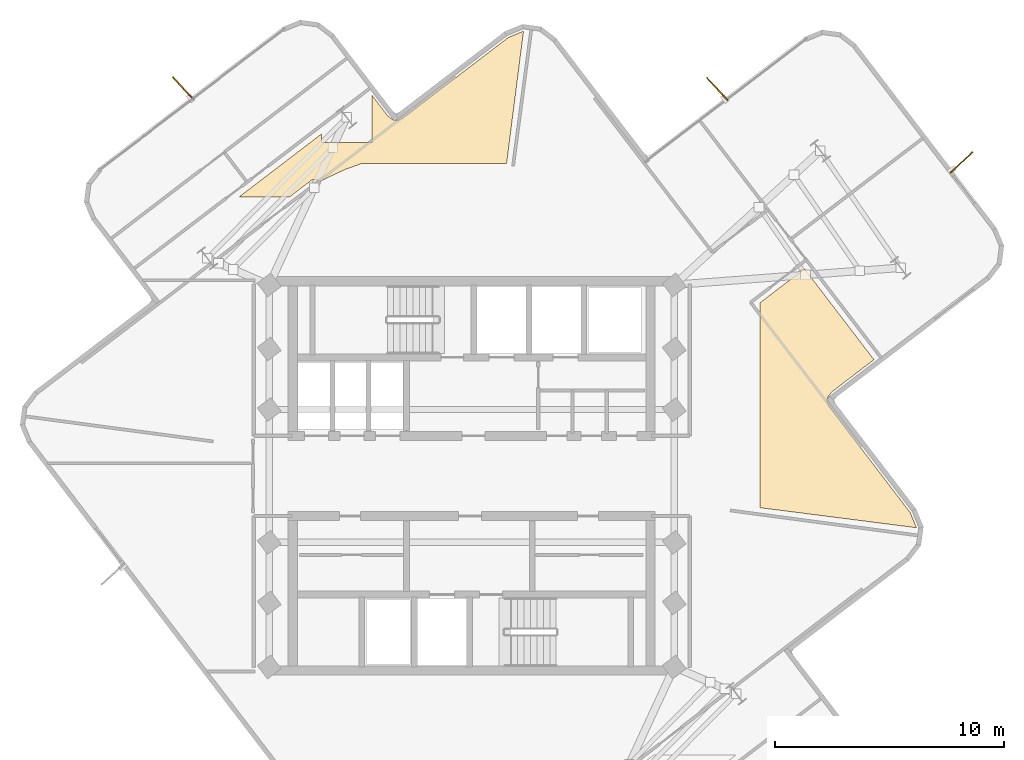
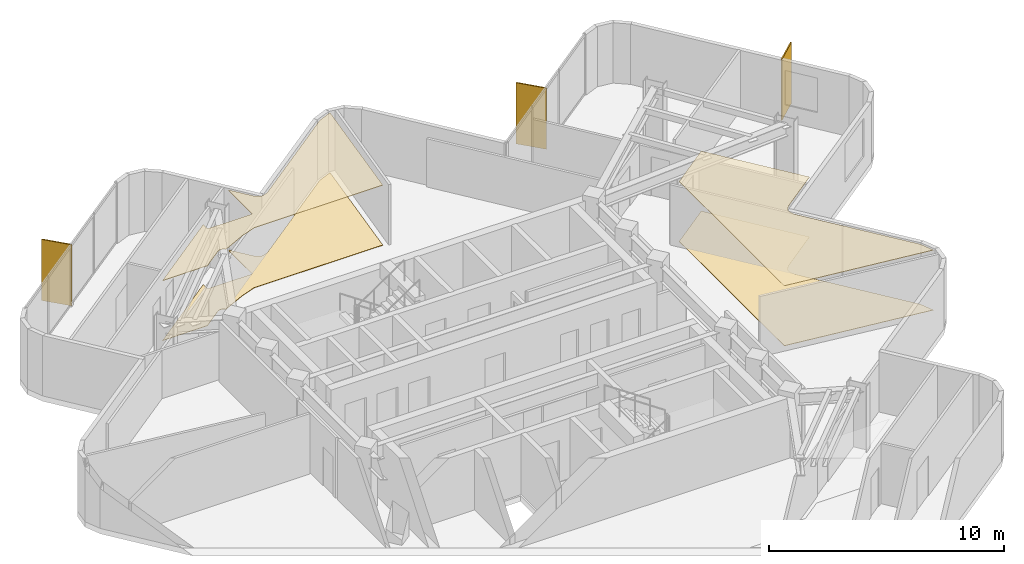
# One storey, part 8 of 8: 4 coverings, 3 shading devices.
"""IFC4 building model written with IfcOpenShell, lengths in metres."""

from ifc_helpers import new_model, si_unit, direction, frame, origin, origin_2d, place, context, subcontext, project, spatial, polyline, rectangle, outline, extrude, material, layer, layer_set, type_object, element, save


model = new_model("IFC4")

# Units and contexts
model_context = context("Model", 3, precision=1e-05, world=origin(), true_north=direction((0.0, 1.0)))
body_context = subcontext(model_context, "Body", "Model", "MODEL_VIEW")
ifc_project = project(units=[si_unit("LENGTHUNIT", "METRE"), si_unit("AREAUNIT", "SQUARE_METRE"), si_unit("VOLUMEUNIT", "CUBIC_METRE"), si_unit("PLANEANGLEUNIT", "RADIAN"), si_unit("MASSUNIT", "GRAM", prefix="KILO")], contexts=[model_context])

# Site, building, storey
site_placement = place(None, origin())
site = spatial("IfcSite", under=ifc_project, at=site_placement, CompositionType="ELEMENT")
building_placement = place(site_placement, origin())
building = spatial("IfcBuilding", under=site, at=building_placement, Name="Solmarez Civic Tower", CompositionType="ELEMENT")
storey_placement = place(building_placement, frame((0.0, 0.0, 232.56005859375)))
storey = spatial("IfcBuildingStorey", under=building, at=storey_placement, Name="L62", CompositionType="ELEMENT", Elevation=232.56005859375)

# Coverings
ifc_material_1 = material(Name="Perforated Mineral-Fibre Acoustic Ceiling")
ifc_layer_1 = layer(ifc_material_1, 0.02490234375)
ifc_layer_set_1 = layer_set([ifc_layer_1], Name="Perforated Mineral-Fibre Acoustic Ceiling")
covering_type_1 = type_object("IfcCoveringType", Name="COV-CEIL-ACOUSTIC", PredefinedType="CEILING", material=ifc_layer_set_1)
covering_1_placement = place(storey_placement, frame((0.0, 0.0, 3.114990234375)))
element("IfcCovering", 1, at=covering_1_placement, inside=storey, type_object=covering_type_1, Name="L62 Suspended Acoustic Ceiling 2", PredefinedType="CEILING", context=body_context, shape_type="SweptSolid", body=[
    extrude(outline(polyline([(-10.156005859375, 12.199951171875), (-7.949951171875, 12.199951171875), (-7.028076171875, 12.905029296875), (-7.010986328125, 12.9169921875), (-6.991943359375, 12.927001953125), (-6.98388671875, 12.930908203125), (-6.967041015625, 12.93896484375), (-6.947998046875, 12.945068359375), (-6.928955078125, 12.949951171875), (-6.924072265625, 12.950927734375), (-6.9189453125, 12.951904296875), (-6.9140625, 12.952880859375), (-6.89306640625, 12.9560546875), (-6.87109375, 12.95703125), (-6.865966796875, 12.95703125), (-6.842041015625, 12.9560546875), (-6.8330078125, 12.955078125), (-6.81298828125, 12.951904296875), (-6.7939453125, 12.947021484375), (-6.784912109375, 12.944091796875), (-6.76611328125, 12.93701171875), (-6.748046875, 12.928955078125), (-6.72998046875, 12.919921875), (-6.721923828125, 12.9150390625), (-6.701904296875, 12.89990234375), (-6.68310546875, 12.884033203125), (-6.676025390625, 12.876953125), (-6.672119140625, 12.873046875), (-6.660888671875, 12.85888671875), (-5.552978515625, 13.384033203125), (-5.532958984375, 13.39208984375), (-4.85107421875, 13.635986328125), (-4.844970703125, 13.637939453125), (-4.818115234375, 13.64501953125), (-4.81298828125, 13.64599609375), (-4.7919921875, 13.64892578125), (-4.77001953125, 13.64990234375), (1.52294921875, 13.64990234375), (2.262939453125, 19.430908203125), (2.256103515625, 19.431884765625), (1.60205078125, 19.162109375), (-2.97412109375, 15.6630859375), (-2.986083984375, 15.655029296875), (-2.991943359375, 15.65087890625), (-3.01611328125, 15.636962890625), (-3.02197265625, 15.634033203125), (-3.028076171875, 15.631103515625), (-3.0419921875, 15.625), (-3.200927734375, 15.55908203125), (-3.22509765625, 15.550048828125), (-3.23193359375, 15.548095703125), (-3.239013671875, 15.547119140625), (-3.2470703125, 15.544921875), (-3.26904296875, 15.5400390625), (-3.280029296875, 15.5390625), (-3.2880859375, 15.5380859375), (-3.305908203125, 15.535888671875), (-3.323974609375, 15.535888671875), (-3.342041015625, 15.5380859375), (-3.35400390625, 15.5390625), (-3.35888671875, 15.5400390625), (-3.364990234375, 15.541015625), (-3.385986328125, 15.5439453125), (-3.405029296875, 15.550048828125), (-3.425048828125, 15.556884765625), (-3.431884765625, 15.56005859375), (-3.43896484375, 15.56298828125), (-3.45703125, 15.572021484375), (-3.47412109375, 15.58203125), (-3.4990234375, 15.59912109375), (-3.637939453125, 15.7060546875), (-3.64306640625, 15.7099609375), (-3.662109375, 15.72607421875), (-3.6669921875, 15.73095703125), (-3.679931640625, 15.74609375), (-3.68505859375, 15.751953125), (-3.69091796875, 15.759033203125), (-4.35791015625, 16.633056640625), (-4.367919921875, 16.625), (-4.367919921875, 14.571044921875), (-6.568115234375, 14.571044921875), (-6.568115234375, 14.943115234375), (-10.156005859375, 12.199951171875)])), origin(), (0.0, 0.0, 1.0), 0.02490234375),
])
covering_2_placement = place(storey_placement, frame((0.0, 0.0, 3.114990234375)))
element("IfcCovering", 2, at=covering_2_placement, inside=storey, type_object=covering_type_1, Name="L62 Suspended Acoustic Ceiling 3", PredefinedType="CEILING", context=body_context, shape_type="SweptSolid", body=[
    extrude(outline(polyline([(12.60009765625, 7.569091796875), (12.60009765625, -1.388916015625), (19.430908203125, -2.262939453125), (19.431884765625, -2.256103515625), (19.162109375, -1.60205078125), (15.6630859375, 2.97412109375), (15.655029296875, 2.986083984375), (15.65087890625, 2.991943359375), (15.636962890625, 3.01611328125), (15.634033203125, 3.02197265625), (15.631103515625, 3.028076171875), (15.625, 3.0419921875), (15.55908203125, 3.200927734375), (15.550048828125, 3.22509765625), (15.548095703125, 3.23193359375), (15.547119140625, 3.239013671875), (15.544921875, 3.2470703125), (15.5400390625, 3.26904296875), (15.5390625, 3.280029296875), (15.5380859375, 3.2880859375), (15.535888671875, 3.305908203125), (15.535888671875, 3.323974609375), (15.5380859375, 3.342041015625), (15.5390625, 3.35400390625), (15.5400390625, 3.35888671875), (15.541015625, 3.364990234375), (15.5439453125, 3.385986328125), (15.550048828125, 3.405029296875), (15.556884765625, 3.425048828125), (15.56005859375, 3.431884765625), (15.56298828125, 3.43896484375), (15.572021484375, 3.45703125), (15.58203125, 3.47412109375), (15.59912109375, 3.4990234375), (15.7060546875, 3.637939453125), (15.7099609375, 3.64306640625), (15.72607421875, 3.662109375), (15.73095703125, 3.6669921875), (15.74609375, 3.679931640625), (15.751953125, 3.68505859375), (15.759033203125, 3.69091796875), (17.577880859375, 5.0810546875), (14.541015625, 9.052978515625), (12.60009765625, 7.569091796875)])), origin(), (0.0, 0.0, 1.0), 0.02490234375),
])
ifc_material_2 = material(Name="Polished Tropical Stone Terrazzo Flooring", Category="masonry")
ifc_layer_2 = layer(ifc_material_2, 0.02001953125)
ifc_layer_set_2 = layer_set([ifc_layer_2], Name="Polished Tropical Stone Terrazzo Flooring")
covering_type_2 = type_object("IfcCoveringType", Name="COV-FLOOR-TERRAZZO", PredefinedType="FLOORING", material=ifc_layer_set_2)
covering_3_placement = place(storey_placement, origin())
element("IfcCovering", 3, at=covering_3_placement, inside=storey, type_object=covering_type_2, Name="L62 Terrazzo Floor Finish 2", PredefinedType="FLOORING", context=body_context, shape_type="SweptSolid", body=[
    extrude(outline(polyline([(-10.156005859375, 12.199951171875), (-7.949951171875, 12.199951171875), (-7.028076171875, 12.905029296875), (-7.010986328125, 12.9169921875), (-6.991943359375, 12.927001953125), (-6.98388671875, 12.930908203125), (-6.967041015625, 12.93896484375), (-6.947998046875, 12.945068359375), (-6.928955078125, 12.949951171875), (-6.924072265625, 12.950927734375), (-6.9189453125, 12.951904296875), (-6.9140625, 12.952880859375), (-6.89306640625, 12.9560546875), (-6.87109375, 12.95703125), (-6.865966796875, 12.95703125), (-6.842041015625, 12.9560546875), (-6.8330078125, 12.955078125), (-6.81298828125, 12.951904296875), (-6.7939453125, 12.947021484375), (-6.784912109375, 12.944091796875), (-6.76611328125, 12.93701171875), (-6.748046875, 12.928955078125), (-6.72998046875, 12.919921875), (-6.721923828125, 12.9150390625), (-6.701904296875, 12.89990234375), (-6.68310546875, 12.884033203125), (-6.676025390625, 12.876953125), (-6.672119140625, 12.873046875), (-6.660888671875, 12.85888671875), (-5.552978515625, 13.384033203125), (-5.532958984375, 13.39208984375), (-4.85107421875, 13.635986328125), (-4.844970703125, 13.637939453125), (-4.818115234375, 13.64501953125), (-4.81298828125, 13.64599609375), (-4.7919921875, 13.64892578125), (-4.77001953125, 13.64990234375), (1.52294921875, 13.64990234375), (2.262939453125, 19.430908203125), (2.256103515625, 19.431884765625), (1.60205078125, 19.162109375), (-2.97412109375, 15.6630859375), (-2.986083984375, 15.655029296875), (-2.991943359375, 15.65087890625), (-3.01611328125, 15.636962890625), (-3.02197265625, 15.634033203125), (-3.028076171875, 15.631103515625), (-3.0419921875, 15.625), (-3.200927734375, 15.55908203125), (-3.22509765625, 15.550048828125), (-3.23193359375, 15.548095703125), (-3.239013671875, 15.547119140625), (-3.2470703125, 15.544921875), (-3.26904296875, 15.5400390625), (-3.280029296875, 15.5390625), (-3.2880859375, 15.5380859375), (-3.305908203125, 15.535888671875), (-3.323974609375, 15.535888671875), (-3.342041015625, 15.5380859375), (-3.35400390625, 15.5390625), (-3.35888671875, 15.5400390625), (-3.364990234375, 15.541015625), (-3.385986328125, 15.5439453125), (-3.405029296875, 15.550048828125), (-3.425048828125, 15.556884765625), (-3.431884765625, 15.56005859375), (-3.43896484375, 15.56298828125), (-3.45703125, 15.572021484375), (-3.47412109375, 15.58203125), (-3.4990234375, 15.59912109375), (-3.637939453125, 15.7060546875), (-3.64306640625, 15.7099609375), (-3.662109375, 15.72607421875), (-3.6669921875, 15.73095703125), (-3.679931640625, 15.74609375), (-3.68505859375, 15.751953125), (-3.69091796875, 15.759033203125), (-4.35791015625, 16.633056640625), (-4.367919921875, 16.625), (-4.367919921875, 14.571044921875), (-6.568115234375, 14.571044921875), (-6.568115234375, 14.943115234375), (-10.156005859375, 12.199951171875)])), origin(), (0.0, 0.0, 1.0), 0.02001953125),
])
covering_4_placement = place(storey_placement, origin())
element("IfcCovering", 4, at=covering_4_placement, inside=storey, type_object=covering_type_2, Name="L62 Terrazzo Floor Finish 3", PredefinedType="FLOORING", context=body_context, shape_type="SweptSolid", body=[
    extrude(outline(polyline([(12.60009765625, 7.569091796875), (12.60009765625, -1.388916015625), (19.430908203125, -2.262939453125), (19.431884765625, -2.256103515625), (19.162109375, -1.60205078125), (15.6630859375, 2.97412109375), (15.655029296875, 2.986083984375), (15.65087890625, 2.991943359375), (15.636962890625, 3.01611328125), (15.634033203125, 3.02197265625), (15.631103515625, 3.028076171875), (15.625, 3.0419921875), (15.55908203125, 3.200927734375), (15.550048828125, 3.22509765625), (15.548095703125, 3.23193359375), (15.547119140625, 3.239013671875), (15.544921875, 3.2470703125), (15.5400390625, 3.26904296875), (15.5390625, 3.280029296875), (15.5380859375, 3.2880859375), (15.535888671875, 3.305908203125), (15.535888671875, 3.323974609375), (15.5380859375, 3.342041015625), (15.5390625, 3.35400390625), (15.5400390625, 3.35888671875), (15.541015625, 3.364990234375), (15.5439453125, 3.385986328125), (15.550048828125, 3.405029296875), (15.556884765625, 3.425048828125), (15.56005859375, 3.431884765625), (15.56298828125, 3.43896484375), (15.572021484375, 3.45703125), (15.58203125, 3.47412109375), (15.59912109375, 3.4990234375), (15.7060546875, 3.637939453125), (15.7099609375, 3.64306640625), (15.72607421875, 3.662109375), (15.73095703125, 3.6669921875), (15.74609375, 3.679931640625), (15.751953125, 3.68505859375), (15.759033203125, 3.69091796875), (17.577880859375, 5.0810546875), (14.541015625, 9.052978515625), (12.60009765625, 7.569091796875)])), origin(), (0.0, 0.0, 1.0), 0.02001953125),
])

# Shading devices
ifc_material_3 = material(Name="Bronze Anodised Aluminium EN AW-6063 T6", Category="aluminium")
ifc_layer_3 = layer(ifc_material_3, 0.054931640625)
ifc_layer_set_3 = layer_set([ifc_layer_3], Name="Bronze Anodised Aluminium EN AW-6063 T6")
shading_device_type = type_object("IfcShadingDeviceType", Name="FIN-BRONZE-Z56", PredefinedType="USERDEFINED", material=ifc_layer_set_3)
for number, where, z_axis, x_axis, name in (
    (5, (-12.615966796875, 16.946044921875, -0.0400390625), (0.0, 0.0, 1.0), (-0.676747486196, 0.736215213051, 0.0), "L62 Anodised Bronze Solar Fin FIN-L62-02"),
    (6, (10.720947265625, 16.9140625, -0.0400390625), (0.0, 0.0, 1.0), (-0.676824578762, 0.736144340183, 0.0), "L62 Anodised Bronze Solar Fin FIN-L62-03"),
    (7, (21.404052734375, 13.699951171875, -0.0400390625), (0.0, 0.0, 1.0), (0.736274267607, 0.676683236722, 0.0), "L62 Anodised Bronze Solar Fin FIN-L62-04"),
):
    element("IfcShadingDevice", number, at=place(storey_placement, frame(where, z_axis=z_axis, x_axis=x_axis)), inside=storey, type_object=shading_device_type, Name=name, ObjectType="FIN", PredefinedType="USERDEFINED", context=body_context, shape_type="SweptSolid", body=[
        extrude(rectangle(XDim=1.35009765625, YDim=0.054931640625, at=origin_2d()), origin(), (0.0, 0.0, 1.0), 3.179931640625),
    ])

save(model, "model.ifc")
